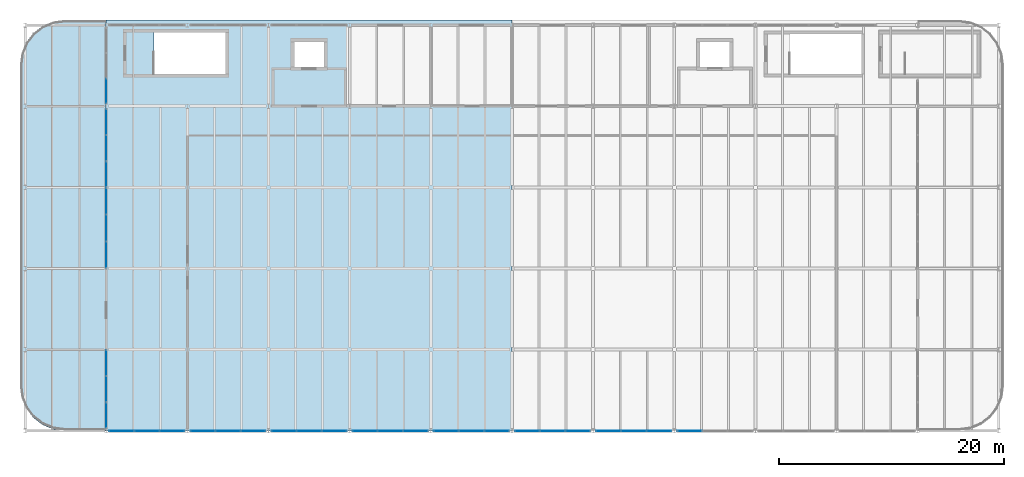
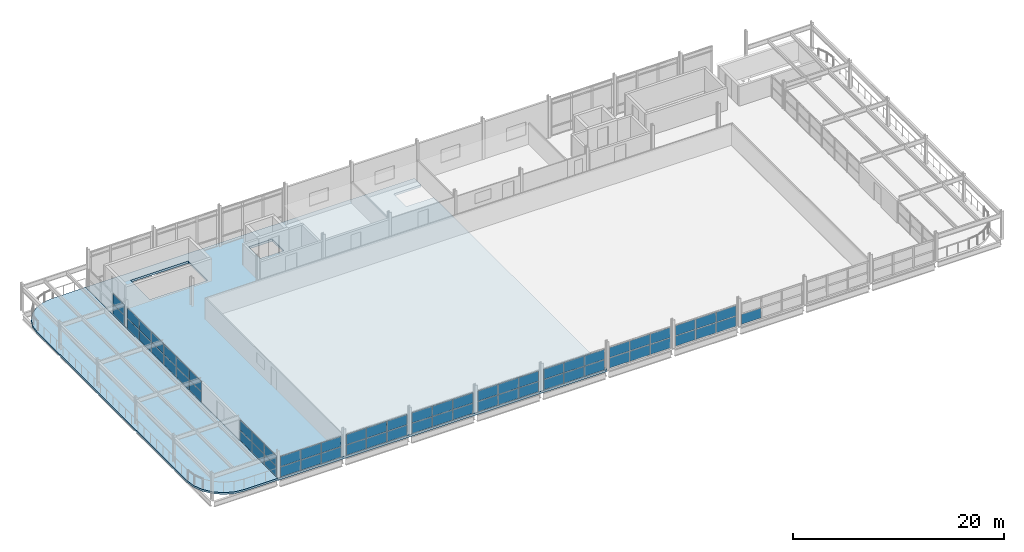
# One storey, part 18 of 25: 63 plates, 2 slabs, 12 elements without a shape of their own.
"""IFC4 building model written with IfcOpenShell, lengths in metres."""

from ifc_helpers import new_model, si_unit, direction, frame, origin, origin_2d, place, context, subcontext, project, spatial, polyline, rectangle, outline, extrude, material, layer, layer_set, type_object, element, aggregate, save


model = new_model("IFC4")

# Units and contexts
model_context = context("Model", 3, precision=1e-05, world=origin(), true_north=direction((0.0, 1.0)))
body_context = subcontext(model_context, "Body", "Model", "MODEL_VIEW")
ifc_project = project(units=[si_unit("LENGTHUNIT", "METRE"), si_unit("AREAUNIT", "SQUARE_METRE"), si_unit("VOLUMEUNIT", "CUBIC_METRE"), si_unit("PLANEANGLEUNIT", "RADIAN"), si_unit("MASSUNIT", "GRAM", prefix="KILO")], contexts=[model_context])

# Site, building, storey
site_placement = place(None, origin())
site = spatial("IfcSite", under=ifc_project, at=site_placement, CompositionType="ELEMENT")
building_placement = place(site_placement, origin())
building = spatial("IfcBuilding", under=site, at=building_placement, Name="Vaelcorin Mobility Hub", CompositionType="ELEMENT")
storey_placement = place(building_placement, frame((0.0, 0.0, 21.0)))
storey = spatial("IfcBuildingStorey", under=building, at=storey_placement, Name="L05", CompositionType="ELEMENT", Elevation=21.0)

# Curtain wall, plates
ifc_material_1 = material(Name="Anodised aluminium 6063-T6", Category="aluminium")
curtain_wall_type = type_object("IfcCurtainWallType", Name="CW-SPT-A", PredefinedType="NOTDEFINED", material=ifc_material_1)
curtain_wall_1_placement = place(storey_placement, origin())
curtain_wall_1 = element("IfcCurtainWall", 1, at=curtain_wall_1_placement, inside=storey, type_object=curtain_wall_type, Name="L05 Curtain Wall CW-V3-S-01", PredefinedType="NOTDEFINED")
ifc_material_2 = material(Name="Low-E solar-control insulated glazing", Category="glass")
ifc_layer_1 = layer(ifc_material_2, 0.028076171875)
ifc_layer_set_1 = layer_set([ifc_layer_1], Name="Low-E solar-control insulated glazing")
plate_type = type_object("IfcPlateType", Name="CW-PAN-GLZ28", PredefinedType="CURTAIN_PANEL", material=ifc_layer_set_1)
plate_1_placement = place(storey_placement, frame((49.038330078125, 84.0, 0.06005859375), z_axis=(0.0, 0.0, 1.0), x_axis=(-1.0, 0.0, 0.0)))
plate_1 = element("IfcPlate", 2, at=plate_1_placement, type_object=plate_type, Name="CW5 panel 1.1", PredefinedType="CURTAIN_PANEL", context=body_context, shape_type="SweptSolid", body=[
    extrude(rectangle(XDim=2.163330078125, YDim=0.028076171875, at=origin_2d()), origin(), (0.0, 0.0, 1.0), 1.159912109375),
])
plate_2_placement = place(storey_placement, frame((49.038330078125, 84.0, 1.2802734375), z_axis=(0.0, 0.0, 1.0), x_axis=(-1.0, 0.0, 0.0)))
plate_2 = element("IfcPlate", 3, at=plate_2_placement, type_object=plate_type, Name="CW5 panel 1.2", PredefinedType="CURTAIN_PANEL", context=body_context, shape_type="SweptSolid", body=[
    extrude(rectangle(XDim=2.163330078125, YDim=0.028076171875, at=origin_2d()), origin(), (0.0, 0.0, 1.0), 1.159912109375),
])
plate_3_placement = place(storey_placement, frame((46.800048828125, 84.0, 0.06005859375), z_axis=(0.0, 0.0, 1.0), x_axis=(-1.0, 0.0, 0.0)))
plate_3 = element("IfcPlate", 4, at=plate_3_placement, type_object=plate_type, Name="CW5 panel 2.1", PredefinedType="CURTAIN_PANEL", context=body_context, shape_type="SweptSolid", body=[
    extrude(rectangle(XDim=2.193359375, YDim=0.028076171875, at=origin_2d()), origin(), (0.0, 0.0, 1.0), 1.159912109375),
])
plate_4_placement = place(storey_placement, frame((46.800048828125, 84.0, 1.2802734375), z_axis=(0.0, 0.0, 1.0), x_axis=(-1.0, 0.0, 0.0)))
plate_4 = element("IfcPlate", 5, at=plate_4_placement, type_object=plate_type, Name="CW5 panel 2.2", PredefinedType="CURTAIN_PANEL", context=body_context, shape_type="SweptSolid", body=[
    extrude(rectangle(XDim=2.193359375, YDim=0.028076171875, at=origin_2d()), origin(), (0.0, 0.0, 1.0), 1.159912109375),
])
plate_5_placement = place(storey_placement, frame((44.561767578125, 84.0, 0.06005859375), z_axis=(0.0, 0.0, 1.0), x_axis=(-1.0, 0.0, 0.0)))
plate_5 = element("IfcPlate", 6, at=plate_5_placement, type_object=plate_type, Name="CW5 panel 3.1", PredefinedType="CURTAIN_PANEL", context=body_context, shape_type="SweptSolid", body=[
    extrude(rectangle(XDim=2.163330078125, YDim=0.028076171875, at=origin_2d()), origin(), (0.0, 0.0, 1.0), 1.159912109375),
])
plate_6_placement = place(storey_placement, frame((44.561767578125, 84.0, 1.2802734375), z_axis=(0.0, 0.0, 1.0), x_axis=(-1.0, 0.0, 0.0)))
plate_6 = element("IfcPlate", 7, at=plate_6_placement, type_object=plate_type, Name="CW5 panel 3.2", PredefinedType="CURTAIN_PANEL", context=body_context, shape_type="SweptSolid", body=[
    extrude(rectangle(XDim=2.163330078125, YDim=0.028076171875, at=origin_2d()), origin(), (0.0, 0.0, 1.0), 1.159912109375),
])
aggregate(curtain_wall_1, [plate_1, plate_2, plate_3, plate_4, plate_5, plate_6])

curtain_wall_2_placement = place(storey_placement, origin())
curtain_wall_2 = element("IfcCurtainWall", 8, at=curtain_wall_2_placement, inside=storey, type_object=curtain_wall_type, Name="L05 Curtain Wall CW-V3-S-02", PredefinedType="NOTDEFINED")
plate_7_placement = place(storey_placement, frame((56.23828125, 84.0, 0.06005859375), z_axis=(0.0, 0.0, 1.0), x_axis=(-1.0, 0.0, 0.0)))
plate_7 = element("IfcPlate", 9, at=plate_7_placement, type_object=plate_type, Name="CW5 panel 1.1", PredefinedType="CURTAIN_PANEL", context=body_context, shape_type="SweptSolid", body=[
    extrude(rectangle(XDim=2.163330078125, YDim=0.028076171875, at=origin_2d()), origin(), (0.0, 0.0, 1.0), 1.159912109375),
])
plate_8_placement = place(storey_placement, frame((56.23828125, 84.0, 1.2802734375), z_axis=(0.0, 0.0, 1.0), x_axis=(-1.0, 0.0, 0.0)))
plate_8 = element("IfcPlate", 10, at=plate_8_placement, type_object=plate_type, Name="CW5 panel 1.2", PredefinedType="CURTAIN_PANEL", context=body_context, shape_type="SweptSolid", body=[
    extrude(rectangle(XDim=2.163330078125, YDim=0.028076171875, at=origin_2d()), origin(), (0.0, 0.0, 1.0), 1.159912109375),
])
plate_9_placement = place(storey_placement, frame((54.0, 84.0, 0.06005859375), z_axis=(0.0, 0.0, 1.0), x_axis=(-1.0, 0.0, 0.0)))
plate_9 = element("IfcPlate", 11, at=plate_9_placement, type_object=plate_type, Name="CW5 panel 2.1", PredefinedType="CURTAIN_PANEL", context=body_context, shape_type="SweptSolid", body=[
    extrude(rectangle(XDim=2.193359375, YDim=0.028076171875, at=origin_2d()), origin(), (0.0, 0.0, 1.0), 1.159912109375),
])
plate_10_placement = place(storey_placement, frame((54.0, 84.0, 1.2802734375), z_axis=(0.0, 0.0, 1.0), x_axis=(-1.0, 0.0, 0.0)))
plate_10 = element("IfcPlate", 12, at=plate_10_placement, type_object=plate_type, Name="CW5 panel 2.2", PredefinedType="CURTAIN_PANEL", context=body_context, shape_type="SweptSolid", body=[
    extrude(rectangle(XDim=2.193359375, YDim=0.028076171875, at=origin_2d()), origin(), (0.0, 0.0, 1.0), 1.159912109375),
])
plate_11_placement = place(storey_placement, frame((51.76171875, 84.0, 0.06005859375), z_axis=(0.0, 0.0, 1.0), x_axis=(-1.0, 0.0, 0.0)))
plate_11 = element("IfcPlate", 13, at=plate_11_placement, type_object=plate_type, Name="CW5 panel 3.1", PredefinedType="CURTAIN_PANEL", context=body_context, shape_type="SweptSolid", body=[
    extrude(rectangle(XDim=2.163330078125, YDim=0.028076171875, at=origin_2d()), origin(), (0.0, 0.0, 1.0), 1.159912109375),
])
plate_12_placement = place(storey_placement, frame((51.76171875, 84.0, 1.2802734375), z_axis=(0.0, 0.0, 1.0), x_axis=(-1.0, 0.0, 0.0)))
plate_12 = element("IfcPlate", 14, at=plate_12_placement, type_object=plate_type, Name="CW5 panel 3.2", PredefinedType="CURTAIN_PANEL", context=body_context, shape_type="SweptSolid", body=[
    extrude(rectangle(XDim=2.163330078125, YDim=0.028076171875, at=origin_2d()), origin(), (0.0, 0.0, 1.0), 1.159912109375),
])
aggregate(curtain_wall_2, [plate_7, plate_8, plate_9, plate_10, plate_11, plate_12])

curtain_wall_3_placement = place(storey_placement, origin())
curtain_wall_3 = element("IfcCurtainWall", 15, at=curtain_wall_3_placement, inside=storey, type_object=curtain_wall_type, Name="L05 Curtain Wall CW-V3-S-03", PredefinedType="NOTDEFINED")
plate_13_placement = place(storey_placement, frame((63.438232421875, 84.0, 0.06005859375), z_axis=(0.0, 0.0, 1.0), x_axis=(-1.0, 0.0, 0.0)))
plate_13 = element("IfcPlate", 16, at=plate_13_placement, type_object=plate_type, Name="CW5 panel 1.1", PredefinedType="CURTAIN_PANEL", context=body_context, shape_type="SweptSolid", body=[
    extrude(rectangle(XDim=2.163330078125, YDim=0.028076171875, at=origin_2d()), origin(), (0.0, 0.0, 1.0), 1.159912109375),
])
plate_14_placement = place(storey_placement, frame((63.438232421875, 84.0, 1.2802734375), z_axis=(0.0, 0.0, 1.0), x_axis=(-1.0, 0.0, 0.0)))
plate_14 = element("IfcPlate", 17, at=plate_14_placement, type_object=plate_type, Name="CW5 panel 1.2", PredefinedType="CURTAIN_PANEL", context=body_context, shape_type="SweptSolid", body=[
    extrude(rectangle(XDim=2.163330078125, YDim=0.028076171875, at=origin_2d()), origin(), (0.0, 0.0, 1.0), 1.159912109375),
])
plate_15_placement = place(storey_placement, frame((61.199951171875, 84.0, 0.06005859375), z_axis=(0.0, 0.0, 1.0), x_axis=(-1.0, 0.0, 0.0)))
plate_15 = element("IfcPlate", 18, at=plate_15_placement, type_object=plate_type, Name="CW5 panel 2.1", PredefinedType="CURTAIN_PANEL", context=body_context, shape_type="SweptSolid", body=[
    extrude(rectangle(XDim=2.193359375, YDim=0.028076171875, at=origin_2d()), origin(), (0.0, 0.0, 1.0), 1.159912109375),
])
plate_16_placement = place(storey_placement, frame((61.199951171875, 84.0, 1.2802734375), z_axis=(0.0, 0.0, 1.0), x_axis=(-1.0, 0.0, 0.0)))
plate_16 = element("IfcPlate", 19, at=plate_16_placement, type_object=plate_type, Name="CW5 panel 2.2", PredefinedType="CURTAIN_PANEL", context=body_context, shape_type="SweptSolid", body=[
    extrude(rectangle(XDim=2.193359375, YDim=0.028076171875, at=origin_2d()), origin(), (0.0, 0.0, 1.0), 1.159912109375),
])
plate_17_placement = place(storey_placement, frame((58.961669921875, 84.0, 0.06005859375), z_axis=(0.0, 0.0, 1.0), x_axis=(-1.0, 0.0, 0.0)))
plate_17 = element("IfcPlate", 20, at=plate_17_placement, type_object=plate_type, Name="CW5 panel 3.1", PredefinedType="CURTAIN_PANEL", context=body_context, shape_type="SweptSolid", body=[
    extrude(rectangle(XDim=2.163330078125, YDim=0.028076171875, at=origin_2d()), origin(), (0.0, 0.0, 1.0), 1.159912109375),
])
plate_18_placement = place(storey_placement, frame((58.961669921875, 84.0, 1.2802734375), z_axis=(0.0, 0.0, 1.0), x_axis=(-1.0, 0.0, 0.0)))
plate_18 = element("IfcPlate", 21, at=plate_18_placement, type_object=plate_type, Name="CW5 panel 3.2", PredefinedType="CURTAIN_PANEL", context=body_context, shape_type="SweptSolid", body=[
    extrude(rectangle(XDim=2.163330078125, YDim=0.028076171875, at=origin_2d()), origin(), (0.0, 0.0, 1.0), 1.159912109375),
])
aggregate(curtain_wall_3, [plate_13, plate_14, plate_15, plate_16, plate_17, plate_18])

curtain_wall_4_placement = place(storey_placement, origin())
curtain_wall_4 = element("IfcCurtainWall", 22, at=curtain_wall_4_placement, inside=storey, type_object=curtain_wall_type, Name="L05 Curtain Wall CW-V3-S-04", PredefinedType="NOTDEFINED")
plate_19_placement = place(storey_placement, frame((70.638427734375, 84.0, 0.06005859375), z_axis=(0.0, 0.0, 1.0), x_axis=(-1.0, 0.0, 0.0)))
plate_19 = element("IfcPlate", 23, at=plate_19_placement, type_object=plate_type, Name="CW5 panel 1.1", PredefinedType="CURTAIN_PANEL", context=body_context, shape_type="SweptSolid", body=[
    extrude(rectangle(XDim=2.163330078125, YDim=0.028076171875, at=origin_2d()), origin(), (0.0, 0.0, 1.0), 1.159912109375),
])
plate_20_placement = place(storey_placement, frame((70.638427734375, 84.0, 1.2802734375), z_axis=(0.0, 0.0, 1.0), x_axis=(-1.0, 0.0, 0.0)))
plate_20 = element("IfcPlate", 24, at=plate_20_placement, type_object=plate_type, Name="CW5 panel 1.2", PredefinedType="CURTAIN_PANEL", context=body_context, shape_type="SweptSolid", body=[
    extrude(rectangle(XDim=2.163330078125, YDim=0.028076171875, at=origin_2d()), origin(), (0.0, 0.0, 1.0), 1.159912109375),
])
plate_21_placement = place(storey_placement, frame((68.39990234375, 84.0, 0.06005859375), z_axis=(0.0, 0.0, 1.0), x_axis=(-1.0, 0.0, 0.0)))
plate_21 = element("IfcPlate", 25, at=plate_21_placement, type_object=plate_type, Name="CW5 panel 2.1", PredefinedType="CURTAIN_PANEL", context=body_context, shape_type="SweptSolid", body=[
    extrude(rectangle(XDim=2.193359375, YDim=0.028076171875, at=origin_2d()), origin(), (0.0, 0.0, 1.0), 1.159912109375),
])
plate_22_placement = place(storey_placement, frame((68.39990234375, 84.0, 1.2802734375), z_axis=(0.0, 0.0, 1.0), x_axis=(-1.0, 0.0, 0.0)))
plate_22 = element("IfcPlate", 26, at=plate_22_placement, type_object=plate_type, Name="CW5 panel 2.2", PredefinedType="CURTAIN_PANEL", context=body_context, shape_type="SweptSolid", body=[
    extrude(rectangle(XDim=2.193359375, YDim=0.028076171875, at=origin_2d()), origin(), (0.0, 0.0, 1.0), 1.159912109375),
])
plate_23_placement = place(storey_placement, frame((66.16162109375, 84.0, 0.06005859375), z_axis=(0.0, 0.0, 1.0), x_axis=(-1.0, 0.0, 0.0)))
plate_23 = element("IfcPlate", 27, at=plate_23_placement, type_object=plate_type, Name="CW5 panel 3.1", PredefinedType="CURTAIN_PANEL", context=body_context, shape_type="SweptSolid", body=[
    extrude(rectangle(XDim=2.163330078125, YDim=0.028076171875, at=origin_2d()), origin(), (0.0, 0.0, 1.0), 1.159912109375),
])
plate_24_placement = place(storey_placement, frame((66.16162109375, 84.0, 1.2802734375), z_axis=(0.0, 0.0, 1.0), x_axis=(-1.0, 0.0, 0.0)))
plate_24 = element("IfcPlate", 28, at=plate_24_placement, type_object=plate_type, Name="CW5 panel 3.2", PredefinedType="CURTAIN_PANEL", context=body_context, shape_type="SweptSolid", body=[
    extrude(rectangle(XDim=2.163330078125, YDim=0.028076171875, at=origin_2d()), origin(), (0.0, 0.0, 1.0), 1.159912109375),
])
aggregate(curtain_wall_4, [plate_19, plate_20, plate_21, plate_22, plate_23, plate_24])

curtain_wall_5_placement = place(storey_placement, origin())
curtain_wall_5 = element("IfcCurtainWall", 29, at=curtain_wall_5_placement, inside=storey, type_object=curtain_wall_type, Name="L05 Curtain Wall CW-V3-S-05", PredefinedType="NOTDEFINED")
plate_25_placement = place(storey_placement, frame((77.83837890625, 84.0, 0.06005859375), z_axis=(0.0, 0.0, 1.0), x_axis=(-1.0, 0.0, 0.0)))
plate_25 = element("IfcPlate", 30, at=plate_25_placement, type_object=plate_type, Name="CW5 panel 1.1", PredefinedType="CURTAIN_PANEL", context=body_context, shape_type="SweptSolid", body=[
    extrude(rectangle(XDim=2.163330078125, YDim=0.028076171875, at=origin_2d()), origin(), (0.0, 0.0, 1.0), 1.159912109375),
])
plate_26_placement = place(storey_placement, frame((77.83837890625, 84.0, 1.2802734375), z_axis=(0.0, 0.0, 1.0), x_axis=(-1.0, 0.0, 0.0)))
plate_26 = element("IfcPlate", 31, at=plate_26_placement, type_object=plate_type, Name="CW5 panel 1.2", PredefinedType="CURTAIN_PANEL", context=body_context, shape_type="SweptSolid", body=[
    extrude(rectangle(XDim=2.163330078125, YDim=0.028076171875, at=origin_2d()), origin(), (0.0, 0.0, 1.0), 1.159912109375),
])
plate_27_placement = place(storey_placement, frame((75.60009765625, 84.0, 0.06005859375), z_axis=(0.0, 0.0, 1.0), x_axis=(-1.0, 0.0, 0.0)))
plate_27 = element("IfcPlate", 32, at=plate_27_placement, type_object=plate_type, Name="CW5 panel 2.1", PredefinedType="CURTAIN_PANEL", context=body_context, shape_type="SweptSolid", body=[
    extrude(rectangle(XDim=2.193359375, YDim=0.028076171875, at=origin_2d()), origin(), (0.0, 0.0, 1.0), 1.159912109375),
])
plate_28_placement = place(storey_placement, frame((75.60009765625, 84.0, 1.2802734375), z_axis=(0.0, 0.0, 1.0), x_axis=(-1.0, 0.0, 0.0)))
plate_28 = element("IfcPlate", 33, at=plate_28_placement, type_object=plate_type, Name="CW5 panel 2.2", PredefinedType="CURTAIN_PANEL", context=body_context, shape_type="SweptSolid", body=[
    extrude(rectangle(XDim=2.193359375, YDim=0.028076171875, at=origin_2d()), origin(), (0.0, 0.0, 1.0), 1.159912109375),
])
plate_29_placement = place(storey_placement, frame((73.361572265625, 84.0, 0.06005859375), z_axis=(0.0, 0.0, 1.0), x_axis=(-1.0, 0.0, 0.0)))
plate_29 = element("IfcPlate", 34, at=plate_29_placement, type_object=plate_type, Name="CW5 panel 3.1", PredefinedType="CURTAIN_PANEL", context=body_context, shape_type="SweptSolid", body=[
    extrude(rectangle(XDim=2.163330078125, YDim=0.028076171875, at=origin_2d()), origin(), (0.0, 0.0, 1.0), 1.159912109375),
])
plate_30_placement = place(storey_placement, frame((73.361572265625, 84.0, 1.2802734375), z_axis=(0.0, 0.0, 1.0), x_axis=(-1.0, 0.0, 0.0)))
plate_30 = element("IfcPlate", 35, at=plate_30_placement, type_object=plate_type, Name="CW5 panel 3.2", PredefinedType="CURTAIN_PANEL", context=body_context, shape_type="SweptSolid", body=[
    extrude(rectangle(XDim=2.163330078125, YDim=0.028076171875, at=origin_2d()), origin(), (0.0, 0.0, 1.0), 1.159912109375),
])
aggregate(curtain_wall_5, [plate_25, plate_26, plate_27, plate_28, plate_29, plate_30])

curtain_wall_6_placement = place(storey_placement, origin())
curtain_wall_6 = element("IfcCurtainWall", 36, at=curtain_wall_6_placement, inside=storey, type_object=curtain_wall_type, Name="L05 Curtain Wall CW-V3-S-06", PredefinedType="NOTDEFINED")
plate_31_placement = place(storey_placement, frame((85.038330078125, 84.0, 0.06005859375), z_axis=(0.0, 0.0, 1.0), x_axis=(-1.0, 0.0, 0.0)))
plate_31 = element("IfcPlate", 37, at=plate_31_placement, type_object=plate_type, Name="CW5 panel 1.1", PredefinedType="CURTAIN_PANEL", context=body_context, shape_type="SweptSolid", body=[
    extrude(rectangle(XDim=2.163330078125, YDim=0.028076171875, at=origin_2d()), origin(), (0.0, 0.0, 1.0), 1.159912109375),
])
plate_32_placement = place(storey_placement, frame((85.038330078125, 84.0, 1.2802734375), z_axis=(0.0, 0.0, 1.0), x_axis=(-1.0, 0.0, 0.0)))
plate_32 = element("IfcPlate", 38, at=plate_32_placement, type_object=plate_type, Name="CW5 panel 1.2", PredefinedType="CURTAIN_PANEL", context=body_context, shape_type="SweptSolid", body=[
    extrude(rectangle(XDim=2.163330078125, YDim=0.028076171875, at=origin_2d()), origin(), (0.0, 0.0, 1.0), 1.159912109375),
])
plate_33_placement = place(storey_placement, frame((82.800048828125, 84.0, 0.06005859375), z_axis=(0.0, 0.0, 1.0), x_axis=(-1.0, 0.0, 0.0)))
plate_33 = element("IfcPlate", 39, at=plate_33_placement, type_object=plate_type, Name="CW5 panel 2.1", PredefinedType="CURTAIN_PANEL", context=body_context, shape_type="SweptSolid", body=[
    extrude(rectangle(XDim=2.193359375, YDim=0.028076171875, at=origin_2d()), origin(), (0.0, 0.0, 1.0), 1.159912109375),
])
plate_34_placement = place(storey_placement, frame((82.800048828125, 84.0, 1.2802734375), z_axis=(0.0, 0.0, 1.0), x_axis=(-1.0, 0.0, 0.0)))
plate_34 = element("IfcPlate", 40, at=plate_34_placement, type_object=plate_type, Name="CW5 panel 2.2", PredefinedType="CURTAIN_PANEL", context=body_context, shape_type="SweptSolid", body=[
    extrude(rectangle(XDim=2.193359375, YDim=0.028076171875, at=origin_2d()), origin(), (0.0, 0.0, 1.0), 1.159912109375),
])
plate_35_placement = place(storey_placement, frame((80.561767578125, 84.0, 0.06005859375), z_axis=(0.0, 0.0, 1.0), x_axis=(-1.0, 0.0, 0.0)))
plate_35 = element("IfcPlate", 41, at=plate_35_placement, type_object=plate_type, Name="CW5 panel 3.1", PredefinedType="CURTAIN_PANEL", context=body_context, shape_type="SweptSolid", body=[
    extrude(rectangle(XDim=2.163330078125, YDim=0.028076171875, at=origin_2d()), origin(), (0.0, 0.0, 1.0), 1.159912109375),
])
plate_36_placement = place(storey_placement, frame((80.561767578125, 84.0, 1.2802734375), z_axis=(0.0, 0.0, 1.0), x_axis=(-1.0, 0.0, 0.0)))
plate_36 = element("IfcPlate", 42, at=plate_36_placement, type_object=plate_type, Name="CW5 panel 3.2", PredefinedType="CURTAIN_PANEL", context=body_context, shape_type="SweptSolid", body=[
    extrude(rectangle(XDim=2.163330078125, YDim=0.028076171875, at=origin_2d()), origin(), (0.0, 0.0, 1.0), 1.159912109375),
])
aggregate(curtain_wall_6, [plate_31, plate_32, plate_33, plate_34, plate_35, plate_36])

curtain_wall_7_placement = place(storey_placement, origin())
curtain_wall_7 = element("IfcCurtainWall", 43, at=curtain_wall_7_placement, inside=storey, type_object=curtain_wall_type, Name="L05 Curtain Wall CW-V3-S-07", PredefinedType="NOTDEFINED")
plate_37_placement = place(storey_placement, frame((92.23828125, 84.0, 0.06005859375), z_axis=(0.0, 0.0, 1.0), x_axis=(-1.0, 0.0, 0.0)))
plate_37 = element("IfcPlate", 44, at=plate_37_placement, type_object=plate_type, Name="CW5 panel 1.1", PredefinedType="CURTAIN_PANEL", context=body_context, shape_type="SweptSolid", body=[
    extrude(rectangle(XDim=2.163330078125, YDim=0.028076171875, at=origin_2d()), origin(), (0.0, 0.0, 1.0), 1.159912109375),
])
plate_38_placement = place(storey_placement, frame((92.23828125, 84.0, 1.2802734375), z_axis=(0.0, 0.0, 1.0), x_axis=(-1.0, 0.0, 0.0)))
plate_38 = element("IfcPlate", 45, at=plate_38_placement, type_object=plate_type, Name="CW5 panel 1.2", PredefinedType="CURTAIN_PANEL", context=body_context, shape_type="SweptSolid", body=[
    extrude(rectangle(XDim=2.163330078125, YDim=0.028076171875, at=origin_2d()), origin(), (0.0, 0.0, 1.0), 1.159912109375),
])
plate_39_placement = place(storey_placement, frame((90.0, 84.0, 0.06005859375), z_axis=(0.0, 0.0, 1.0), x_axis=(-1.0, 0.0, 0.0)))
plate_39 = element("IfcPlate", 46, at=plate_39_placement, type_object=plate_type, Name="CW5 panel 2.1", PredefinedType="CURTAIN_PANEL", context=body_context, shape_type="SweptSolid", body=[
    extrude(rectangle(XDim=2.193359375, YDim=0.028076171875, at=origin_2d()), origin(), (0.0, 0.0, 1.0), 1.159912109375),
])
plate_40_placement = place(storey_placement, frame((90.0, 84.0, 1.2802734375), z_axis=(0.0, 0.0, 1.0), x_axis=(-1.0, 0.0, 0.0)))
plate_40 = element("IfcPlate", 47, at=plate_40_placement, type_object=plate_type, Name="CW5 panel 2.2", PredefinedType="CURTAIN_PANEL", context=body_context, shape_type="SweptSolid", body=[
    extrude(rectangle(XDim=2.193359375, YDim=0.028076171875, at=origin_2d()), origin(), (0.0, 0.0, 1.0), 1.159912109375),
])
plate_41_placement = place(storey_placement, frame((87.76171875, 84.0, 0.06005859375), z_axis=(0.0, 0.0, 1.0), x_axis=(-1.0, 0.0, 0.0)))
plate_41 = element("IfcPlate", 48, at=plate_41_placement, type_object=plate_type, Name="CW5 panel 3.1", PredefinedType="CURTAIN_PANEL", context=body_context, shape_type="SweptSolid", body=[
    extrude(rectangle(XDim=2.163330078125, YDim=0.028076171875, at=origin_2d()), origin(), (0.0, 0.0, 1.0), 1.159912109375),
])
plate_42_placement = place(storey_placement, frame((87.76171875, 84.0, 1.2802734375), z_axis=(0.0, 0.0, 1.0), x_axis=(-1.0, 0.0, 0.0)))
plate_42 = element("IfcPlate", 49, at=plate_42_placement, type_object=plate_type, Name="CW5 panel 3.2", PredefinedType="CURTAIN_PANEL", context=body_context, shape_type="SweptSolid", body=[
    extrude(rectangle(XDim=2.163330078125, YDim=0.028076171875, at=origin_2d()), origin(), (0.0, 0.0, 1.0), 1.159912109375),
])
aggregate(curtain_wall_7, [plate_37, plate_38, plate_39, plate_40, plate_41, plate_42])

# Curtain wall, plate
curtain_wall_8_placement = place(storey_placement, origin())
curtain_wall_8 = element("IfcCurtainWall", 50, at=curtain_wall_8_placement, inside=storey, type_object=curtain_wall_type, Name="L05 Curtain Wall CW-V3-S-08", PredefinedType="NOTDEFINED")
plate_43_placement = place(storey_placement, frame((94.961669921875, 84.0, 0.06005859375), z_axis=(0.0, 0.0, 1.0), x_axis=(-1.0, 0.0, 0.0)))
plate_43 = element("IfcPlate", 51, at=plate_43_placement, type_object=plate_type, Name="CW5 panel 3.1", PredefinedType="CURTAIN_PANEL", context=body_context, shape_type="SweptSolid", body=[
    extrude(rectangle(XDim=2.163330078125, YDim=0.028076171875, at=origin_2d()), origin(), (0.0, 0.0, 1.0), 1.159912109375),
])
aggregate(curtain_wall_8, [plate_43])

# Curtain wall, plates
curtain_wall_9_placement = place(storey_placement, origin())
curtain_wall_9 = element("IfcCurtainWall", 52, at=curtain_wall_9_placement, inside=storey, type_object=curtain_wall_type, Name="L05 Curtain Wall CW-V3-W-01", PredefinedType="NOTDEFINED")
plate_44_placement = place(storey_placement, frame((43.199951171875, 85.39794921875, 0.06005859375), z_axis=(0.0, 0.0, 1.0), x_axis=(0.0, 1.0, 0.0)))
plate_44 = element("IfcPlate", 53, at=plate_44_placement, type_object=plate_type, Name="CW5 panel 1.1", PredefinedType="CURTAIN_PANEL", context=body_context, shape_type="SweptSolid", body=[
    extrude(rectangle(XDim=2.236083984375, YDim=0.028076171875, at=origin_2d()), origin(), (0.0, 0.0, 1.0), 1.159912109375),
])
plate_45_placement = place(storey_placement, frame((43.199951171875, 85.39794921875, 1.2802734375), z_axis=(0.0, 0.0, 1.0), x_axis=(0.0, 1.0, 0.0)))
plate_45 = element("IfcPlate", 54, at=plate_45_placement, type_object=plate_type, Name="CW5 panel 1.2", PredefinedType="CURTAIN_PANEL", context=body_context, shape_type="SweptSolid", body=[
    extrude(rectangle(XDim=2.236083984375, YDim=0.028076171875, at=origin_2d()), origin(), (0.0, 0.0, 1.0), 1.159912109375),
])
plate_46_placement = place(storey_placement, frame((43.199951171875, 87.708984375, 0.06005859375), z_axis=(0.0, 0.0, 1.0), x_axis=(0.0, 1.0, 0.0)))
plate_46 = element("IfcPlate", 55, at=plate_46_placement, type_object=plate_type, Name="CW5 panel 2.1", PredefinedType="CURTAIN_PANEL", context=body_context, shape_type="SweptSolid", body=[
    extrude(rectangle(XDim=2.26611328125, YDim=0.028076171875, at=origin_2d()), origin(), (0.0, 0.0, 1.0), 1.159912109375),
])
plate_47_placement = place(storey_placement, frame((43.199951171875, 87.708984375, 1.2802734375), z_axis=(0.0, 0.0, 1.0), x_axis=(0.0, 1.0, 0.0)))
plate_47 = element("IfcPlate", 56, at=plate_47_placement, type_object=plate_type, Name="CW5 panel 2.2", PredefinedType="CURTAIN_PANEL", context=body_context, shape_type="SweptSolid", body=[
    extrude(rectangle(XDim=2.26611328125, YDim=0.028076171875, at=origin_2d()), origin(), (0.0, 0.0, 1.0), 1.159912109375),
])
plate_48_placement = place(storey_placement, frame((43.199951171875, 90.02001953125, 0.06005859375), z_axis=(0.0, 0.0, 1.0), x_axis=(0.0, 1.0, 0.0)))
plate_48 = element("IfcPlate", 57, at=plate_48_placement, type_object=plate_type, Name="CW5 panel 3.1", PredefinedType="CURTAIN_PANEL", context=body_context, shape_type="SweptSolid", body=[
    extrude(rectangle(XDim=2.236083984375, YDim=0.028076171875, at=origin_2d()), origin(), (0.0, 0.0, 1.0), 1.159912109375),
])
plate_49_placement = place(storey_placement, frame((43.199951171875, 90.02001953125, 1.2802734375), z_axis=(0.0, 0.0, 1.0), x_axis=(0.0, 1.0, 0.0)))
plate_49 = element("IfcPlate", 58, at=plate_49_placement, type_object=plate_type, Name="CW5 panel 3.2", PredefinedType="CURTAIN_PANEL", context=body_context, shape_type="SweptSolid", body=[
    extrude(rectangle(XDim=2.236083984375, YDim=0.028076171875, at=origin_2d()), origin(), (0.0, 0.0, 1.0), 1.159912109375),
])
aggregate(curtain_wall_9, [plate_44, plate_45, plate_46, plate_47, plate_48, plate_49])

curtain_wall_10_placement = place(storey_placement, origin())
curtain_wall_10 = element("IfcCurtainWall", 59, at=curtain_wall_10_placement, inside=storey, type_object=curtain_wall_type, Name="L05 Curtain Wall CW-V3-W-03", PredefinedType="NOTDEFINED")
plate_50_placement = place(storey_placement, frame((43.199951171875, 99.616455078125, 0.06005859375), z_axis=(0.0, 0.0, 1.0), x_axis=(0.0, 1.0, 0.0)))
plate_50 = element("IfcPlate", 60, at=plate_50_placement, type_object=plate_type, Name="CW5 panel 1.1", PredefinedType="CURTAIN_PANEL", context=body_context, shape_type="SweptSolid", body=[
    extrude(rectangle(XDim=2.30859375, YDim=0.028076171875, at=origin_2d()), origin(), (0.0, 0.0, 1.0), 1.159912109375),
])
plate_51_placement = place(storey_placement, frame((43.199951171875, 99.616455078125, 1.2802734375), z_axis=(0.0, 0.0, 1.0), x_axis=(0.0, 1.0, 0.0)))
plate_51 = element("IfcPlate", 61, at=plate_51_placement, type_object=plate_type, Name="CW5 panel 1.2", PredefinedType="CURTAIN_PANEL", context=body_context, shape_type="SweptSolid", body=[
    extrude(rectangle(XDim=2.30859375, YDim=0.028076171875, at=origin_2d()), origin(), (0.0, 0.0, 1.0), 1.159912109375),
])
plate_52_placement = place(storey_placement, frame((43.199951171875, 102.0, 0.06005859375), z_axis=(0.0, 0.0, 1.0), x_axis=(0.0, 1.0, 0.0)))
plate_52 = element("IfcPlate", 62, at=plate_52_placement, type_object=plate_type, Name="CW5 panel 2.1", PredefinedType="CURTAIN_PANEL", context=body_context, shape_type="SweptSolid", body=[
    extrude(rectangle(XDim=2.338623046875, YDim=0.028076171875, at=origin_2d()), origin(), (0.0, 0.0, 1.0), 1.159912109375),
])
plate_53_placement = place(storey_placement, frame((43.199951171875, 102.0, 1.2802734375), z_axis=(0.0, 0.0, 1.0), x_axis=(0.0, 1.0, 0.0)))
plate_53 = element("IfcPlate", 63, at=plate_53_placement, type_object=plate_type, Name="CW5 panel 2.2", PredefinedType="CURTAIN_PANEL", context=body_context, shape_type="SweptSolid", body=[
    extrude(rectangle(XDim=2.338623046875, YDim=0.028076171875, at=origin_2d()), origin(), (0.0, 0.0, 1.0), 1.159912109375),
])
plate_54_placement = place(storey_placement, frame((43.199951171875, 104.383544921875, 0.06005859375), z_axis=(0.0, 0.0, 1.0), x_axis=(0.0, 1.0, 0.0)))
plate_54 = element("IfcPlate", 64, at=plate_54_placement, type_object=plate_type, Name="CW5 panel 3.1", PredefinedType="CURTAIN_PANEL", context=body_context, shape_type="SweptSolid", body=[
    extrude(rectangle(XDim=2.30859375, YDim=0.028076171875, at=origin_2d()), origin(), (0.0, 0.0, 1.0), 1.159912109375),
])
plate_55_placement = place(storey_placement, frame((43.199951171875, 104.383544921875, 1.2802734375), z_axis=(0.0, 0.0, 1.0), x_axis=(0.0, 1.0, 0.0)))
plate_55 = element("IfcPlate", 65, at=plate_55_placement, type_object=plate_type, Name="CW5 panel 3.2", PredefinedType="CURTAIN_PANEL", context=body_context, shape_type="SweptSolid", body=[
    extrude(rectangle(XDim=2.30859375, YDim=0.028076171875, at=origin_2d()), origin(), (0.0, 0.0, 1.0), 1.159912109375),
])
aggregate(curtain_wall_10, [plate_50, plate_51, plate_52, plate_53, plate_54, plate_55])

curtain_wall_11_placement = place(storey_placement, origin())
curtain_wall_11 = element("IfcCurtainWall", 66, at=curtain_wall_11_placement, inside=storey, type_object=curtain_wall_type, Name="L05 Curtain Wall CW-V3-W-04", PredefinedType="NOTDEFINED")
plate_56_placement = place(storey_placement, frame((43.199951171875, 106.780029296875, 0.06005859375), z_axis=(0.0, 0.0, 1.0), x_axis=(0.0, 1.0, 0.0)))
plate_56 = element("IfcPlate", 67, at=plate_56_placement, type_object=plate_type, Name="CW5 panel 1.1", PredefinedType="CURTAIN_PANEL", context=body_context, shape_type="SweptSolid", body=[
    extrude(rectangle(XDim=2.236083984375, YDim=0.028076171875, at=origin_2d()), origin(), (0.0, 0.0, 1.0), 1.159912109375),
])
plate_57_placement = place(storey_placement, frame((43.199951171875, 106.780029296875, 1.2802734375), z_axis=(0.0, 0.0, 1.0), x_axis=(0.0, 1.0, 0.0)))
plate_57 = element("IfcPlate", 68, at=plate_57_placement, type_object=plate_type, Name="CW5 panel 1.2", PredefinedType="CURTAIN_PANEL", context=body_context, shape_type="SweptSolid", body=[
    extrude(rectangle(XDim=2.236083984375, YDim=0.028076171875, at=origin_2d()), origin(), (0.0, 0.0, 1.0), 1.159912109375),
])
plate_58_placement = place(storey_placement, frame((43.199951171875, 109.091064453125, 0.06005859375), z_axis=(0.0, 0.0, 1.0), x_axis=(0.0, 1.0, 0.0)))
plate_58 = element("IfcPlate", 69, at=plate_58_placement, type_object=plate_type, Name="CW5 panel 2.1", PredefinedType="CURTAIN_PANEL", context=body_context, shape_type="SweptSolid", body=[
    extrude(rectangle(XDim=2.26611328125, YDim=0.028076171875, at=origin_2d()), origin(), (0.0, 0.0, 1.0), 1.159912109375),
])
plate_59_placement = place(storey_placement, frame((43.199951171875, 109.091064453125, 1.2802734375), z_axis=(0.0, 0.0, 1.0), x_axis=(0.0, 1.0, 0.0)))
plate_59 = element("IfcPlate", 70, at=plate_59_placement, type_object=plate_type, Name="CW5 panel 2.2", PredefinedType="CURTAIN_PANEL", context=body_context, shape_type="SweptSolid", body=[
    extrude(rectangle(XDim=2.26611328125, YDim=0.028076171875, at=origin_2d()), origin(), (0.0, 0.0, 1.0), 1.159912109375),
])
plate_60_placement = place(storey_placement, frame((43.199951171875, 111.402099609375, 0.06005859375), z_axis=(0.0, 0.0, 1.0), x_axis=(0.0, 1.0, 0.0)))
plate_60 = element("IfcPlate", 71, at=plate_60_placement, type_object=plate_type, Name="CW5 panel 3.1", PredefinedType="CURTAIN_PANEL", context=body_context, shape_type="SweptSolid", body=[
    extrude(rectangle(XDim=2.236083984375, YDim=0.028076171875, at=origin_2d()), origin(), (0.0, 0.0, 1.0), 1.159912109375),
])
plate_61_placement = place(storey_placement, frame((43.199951171875, 111.402099609375, 1.2802734375), z_axis=(0.0, 0.0, 1.0), x_axis=(0.0, 1.0, 0.0)))
plate_61 = element("IfcPlate", 72, at=plate_61_placement, type_object=plate_type, Name="CW5 panel 3.2", PredefinedType="CURTAIN_PANEL", context=body_context, shape_type="SweptSolid", body=[
    extrude(rectangle(XDim=2.236083984375, YDim=0.028076171875, at=origin_2d()), origin(), (0.0, 0.0, 1.0), 1.159912109375),
])
aggregate(curtain_wall_11, [plate_56, plate_57, plate_58, plate_59, plate_60, plate_61])

curtain_wall_12_placement = place(storey_placement, origin())
curtain_wall_12 = element("IfcCurtainWall", 73, at=curtain_wall_12_placement, inside=storey, type_object=curtain_wall_type, Name="L05 Curtain Wall CW-V3-W-05", PredefinedType="NOTDEFINED")
plate_62_placement = place(storey_placement, frame((43.199951171875, 114.16162109375, 0.06005859375), z_axis=(0.0, 0.0, 1.0), x_axis=(0.0, 1.0, 0.0)))
plate_62 = element("IfcPlate", 74, at=plate_62_placement, type_object=plate_type, Name="CW5 panel 1.1", PredefinedType="CURTAIN_PANEL", context=body_context, shape_type="SweptSolid", body=[
    extrude(rectangle(XDim=2.163330078125, YDim=0.028076171875, at=origin_2d()), origin(), (0.0, 0.0, 1.0), 1.159912109375),
])
plate_63_placement = place(storey_placement, frame((43.199951171875, 114.16162109375, 1.2802734375), z_axis=(0.0, 0.0, 1.0), x_axis=(0.0, 1.0, 0.0)))
plate_63 = element("IfcPlate", 75, at=plate_63_placement, type_object=plate_type, Name="CW5 panel 1.2", PredefinedType="CURTAIN_PANEL", context=body_context, shape_type="SweptSolid", body=[
    extrude(rectangle(XDim=2.163330078125, YDim=0.028076171875, at=origin_2d()), origin(), (0.0, 0.0, 1.0), 1.159912109375),
])
aggregate(curtain_wall_12, [plate_62, plate_63])

# Slabs
ifc_material_3 = material(Name="Concrete f'c 35 MPa", Category="concrete")
ifc_layer_2 = layer(ifc_material_3, 0.219970703125)
ifc_layer_set_2 = layer_set([ifc_layer_2], Name="Concrete f'c 35 MPa")
slab_type_1 = type_object("IfcSlabType", Name="SLAB-SD5", PredefinedType="FLOOR", material=ifc_layer_set_2)
slab_1_placement = place(storey_placement, frame((0.0, 0.0, -0.219970703125)))
element("IfcSlab", 76, at=slab_1_placement, inside=storey, type_object=slab_type_1, Name="L05 West Outdoor Pickleball Deck SL-V3-L05-OUTW", PredefinedType="FLOOR", context=body_context, shape_type="SweptSolid", body=[
    extrude(outline(polyline([(35.550048828125, 116.449951171875), (35.68603515625, 117.485107421875), (36.0859375, 118.449951171875), (36.721923828125, 119.278076171875), (37.550048828125, 119.9140625), (38.514892578125, 120.31396484375), (39.550048828125, 120.449951171875), (43.18994140625, 120.449951171875), (43.18994140625, 84.0), (39.550048828125, 84.0), (38.514892578125, 84.135986328125), (37.550048828125, 84.535888671875), (36.721923828125, 85.172119140625), (36.0859375, 86.0), (35.68603515625, 86.965087890625), (35.550048828125, 88.0), (35.550048828125, 116.449951171875)])), origin(), (0.0, 0.0, 1.0), 0.219970703125),
])
ifc_layer_3 = layer(ifc_material_3, 0.260009765625)
ifc_layer_set_3 = layer_set([ifc_layer_3], Name="Concrete f'c 35 MPa")
slab_type_2 = type_object("IfcSlabType", Name="SLAB-SP5", PredefinedType="FLOOR", material=ifc_layer_set_3)
slab_2_placement = place(storey_placement, frame((0.0, 0.0, -0.260009765625)))
element("IfcSlab", 77, at=slab_2_placement, inside=storey, type_object=slab_type_2, Name="L05 Multi-Sport Pavilion Floor SL-V3-L05-W", PredefinedType="FLOOR", context=body_context, shape_type="SweptSolid", body=[
    extrude(outline(polyline([(79.199951171875, 120.449951171875), (79.199951171875, 119.199951171875), (76.199951171875, 119.199951171875), (76.199951171875, 116.800048828125), (79.199951171875, 116.800048828125), (79.199951171875, 84.0), (43.199951171875, 84.0), (43.199951171875, 120.449951171875), (79.199951171875, 120.449951171875)]), holes=[polyline([(59.89990234375, 116.300048828125), (62.5, 116.300048828125), (62.5, 118.5), (59.89990234375, 118.5), (59.89990234375, 116.300048828125)]), polyline([(47.455078125, 119.330078125), (47.455078125, 115.64990234375), (53.800048828125, 115.64990234375), (53.800048828125, 119.330078125), (47.455078125, 119.330078125)])]), origin(), (0.0, 0.0, 1.0), 0.260009765625),
])

save(model, "model.ifc")
